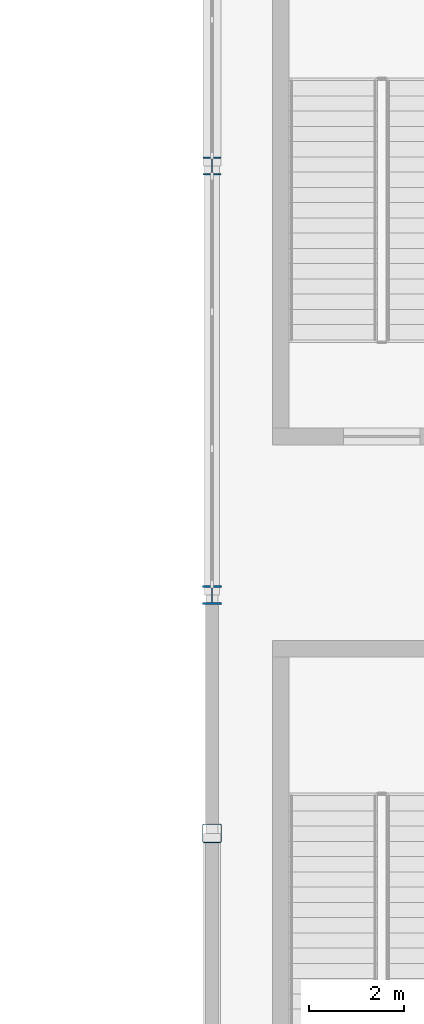
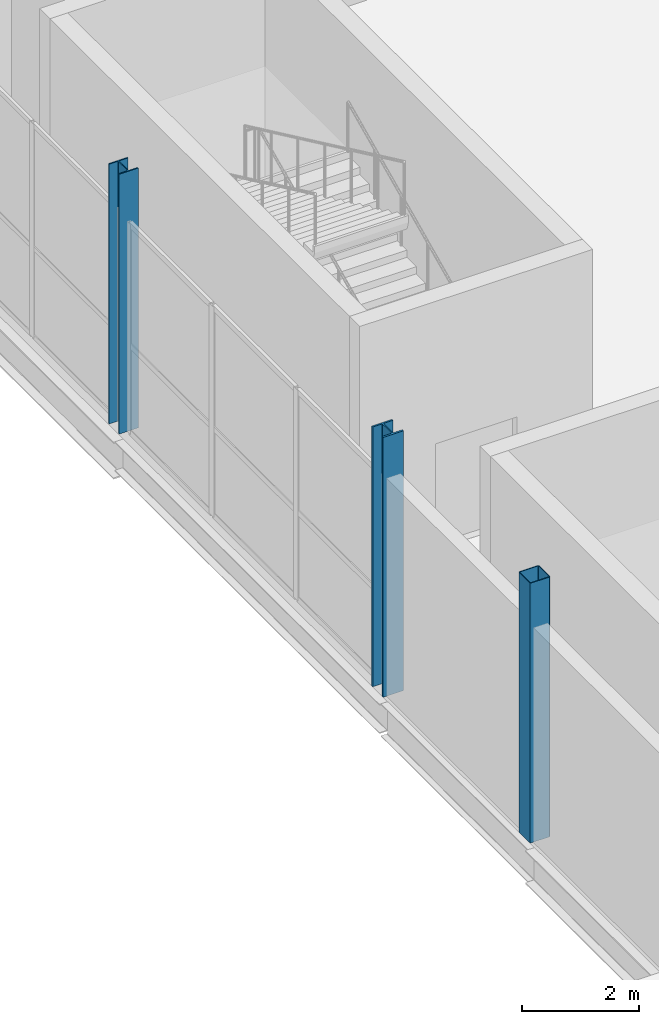
# One storey, part 21 of 94: 3 columns.
"""IFC4 building model written with IfcOpenShell, lengths in metres."""

from ifc_helpers import new_model, si_unit, direction, frame, origin, origin_2d, place, context, subcontext, project, spatial, hollow_rectangle, i_section, extrude, material, material_profile, profile_set, type_object, element, save


model = new_model("IFC4")

# Units and contexts
model_context = context("Model", 3, precision=1e-05, world=origin(), true_north=direction((0.0, 1.0)))
body_context = subcontext(model_context, "Body", "Model", "MODEL_VIEW")
ifc_project = project(units=[si_unit("LENGTHUNIT", "METRE"), si_unit("AREAUNIT", "SQUARE_METRE"), si_unit("VOLUMEUNIT", "CUBIC_METRE"), si_unit("PLANEANGLEUNIT", "RADIAN"), si_unit("MASSUNIT", "GRAM", prefix="KILO")], contexts=[model_context])

# Site, building, storey
site_placement = place(None, origin())
site = spatial("IfcSite", under=ifc_project, at=site_placement, CompositionType="ELEMENT")
building_placement = place(site_placement, origin())
building = spatial("IfcBuilding", under=site, at=building_placement, Name="Qamarlyn Nura Convention Centre", CompositionType="ELEMENT")
storey_placement = place(building_placement, origin())
storey = spatial("IfcBuildingStorey", under=building, at=storey_placement, Name="L00", CompositionType="ELEMENT", Elevation=0.0)

# Columns
ifc_material_1 = material(Name="Steel ASTM A500 Grade C", Category="steel")
ifc_material_profile_1 = material_profile(ifc_material_1, hollow_rectangle(XDim=0.39990234375, YDim=0.39990234375, WallThickness=0.01611328125, InnerFilletRadius=0.01611328125, OuterFilletRadius=0.031982421875, at=origin_2d()), Name="HSS400X400X16")
ifc_profile_set_1 = profile_set([ifc_material_profile_1], Name="Steel ASTM A500 Grade C")
column_type_1 = type_object("IfcColumnType", Name="COL-HSS-1", PredefinedType="COLUMN", material=ifc_profile_set_1)
column_1_placement = place(storey_placement, frame((144.0, 103.0, 0.0), z_axis=(0.0, 0.0, 1.0), x_axis=(1.0, 0.0, 0.0)))
element("IfcColumn", 1, at=column_1_placement, inside=storey, type_object=column_type_1, Name="L00 column 12/M", PredefinedType="COLUMN", context=body_context, shape_type="SweptSolid", body=[
    extrude(hollow_rectangle(XDim=0.39990234375, YDim=0.39990234375, WallThickness=0.01611328125, InnerFilletRadius=0.01611328125, OuterFilletRadius=0.031982421875, at=origin_2d()), origin(), (0.0, 0.0, 1.0), 5.39990234375),
])
ifc_material_2 = material(Name="Steel ASTM A992", Category="steel")
ifc_material_profile_2 = material_profile(ifc_material_2, i_section(OverallWidth=0.39892578125, OverallDepth=0.39306640625, WebThickness=0.022705078125, FlangeThickness=0.03662109375, FilletRadius=0.01806640625, at=origin_2d()), Name="W360X287")
ifc_profile_set_2 = profile_set([ifc_material_profile_2], Name="Steel ASTM A992")
column_type_2 = type_object("IfcColumnType", Name="COL-WING-1", PredefinedType="COLUMN", material=ifc_profile_set_2)
column_2_placement = place(storey_placement, frame((144.0, 108.0, 0.0), z_axis=(0.0, 0.0, 1.0), x_axis=(1.0, 0.0, 0.0)))
element("IfcColumn", 2, at=column_2_placement, inside=storey, type_object=column_type_2, Name="L00 column 12/N", PredefinedType="COLUMN", context=body_context, shape_type="SweptSolid", body=[
    extrude(i_section(OverallWidth=0.39892578125, OverallDepth=0.39306640625, WebThickness=0.022705078125, FlangeThickness=0.03662109375, FilletRadius=0.01806640625, at=origin_2d()), origin(), (0.0, 0.0, 1.0), 5.39990234375),
])
ifc_material_profile_3 = material_profile(ifc_material_2, i_section(OverallWidth=0.3740234375, OverallDepth=0.3720703125, WebThickness=0.016357421875, FlangeThickness=0.026123046875, FilletRadius=0.01611328125, at=origin_2d()), Name="W360X196")
ifc_profile_set_3 = profile_set([ifc_material_profile_3], Name="Steel ASTM A992")
column_type_3 = type_object("IfcColumnType", Name="COL-WING-2", PredefinedType="COLUMN", material=ifc_profile_set_3)
column_3_placement = place(storey_placement, frame((144.0, 117.0, 0.0), z_axis=(0.0, 0.0, 1.0), x_axis=(1.0, 0.0, 0.0)))
element("IfcColumn", 3, at=column_3_placement, inside=storey, type_object=column_type_3, Name="L00 column 12/P", PredefinedType="COLUMN", context=body_context, shape_type="SweptSolid", body=[
    extrude(i_section(OverallWidth=0.3740234375, OverallDepth=0.3720703125, WebThickness=0.016357421875, FlangeThickness=0.026123046875, FilletRadius=0.01611328125, at=origin_2d()), origin(), (0.0, 0.0, 1.0), 5.39990234375),
])

save(model, "model.ifc")
